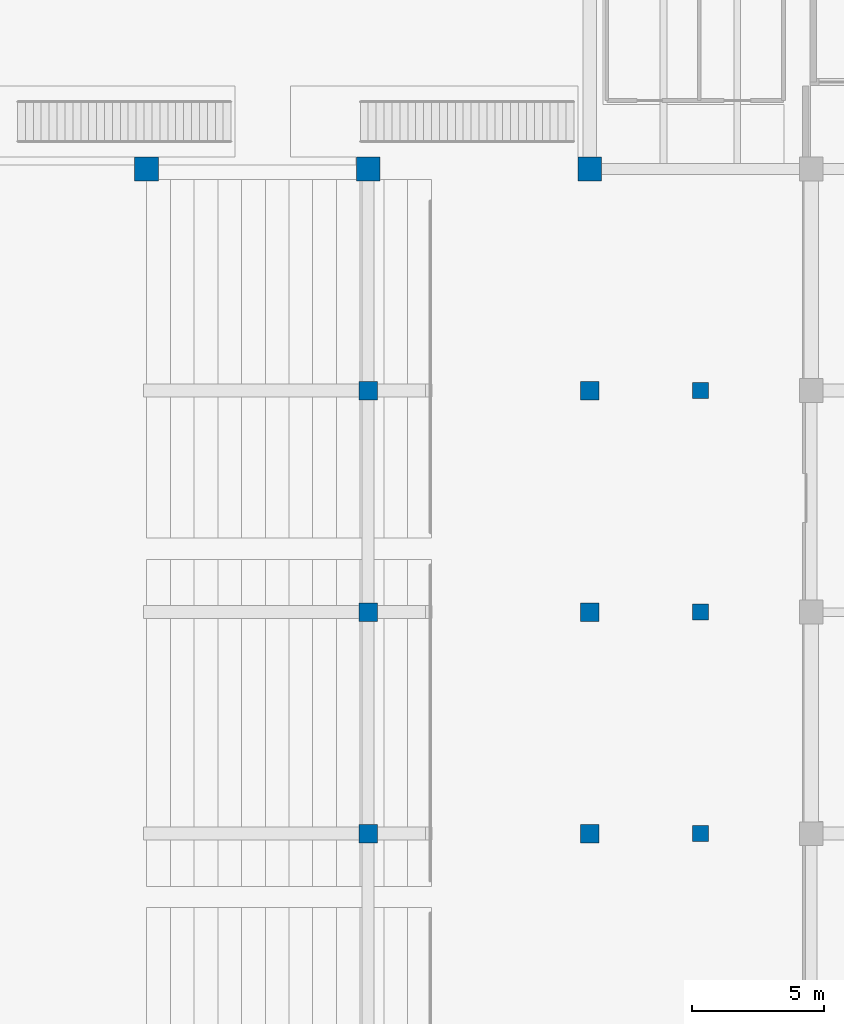
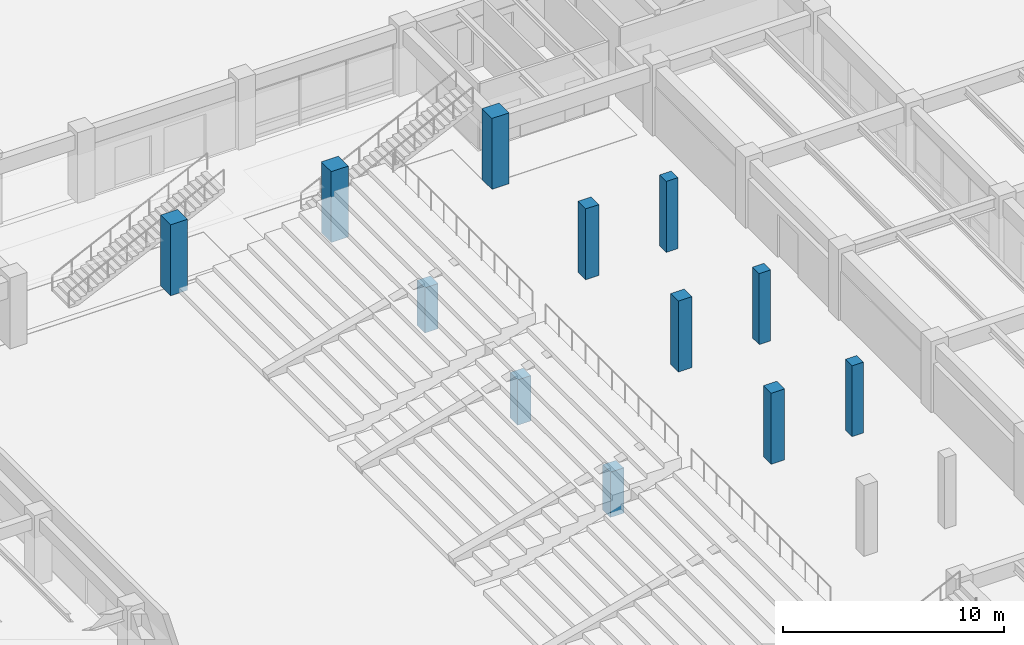
# One storey, part 4 of 135: 12 columns.
"""IFC4 building model written with IfcOpenShell, lengths in metres."""

from ifc_helpers import new_model, si_unit, direction, frame, origin, origin_2d, place, context, subcontext, project, spatial, rectangle, extrude, material, material_profile, profile_set, type_object, element, save


model = new_model("IFC4")

# Units and contexts
model_context = context("Model", 3, precision=1e-05, world=origin(), true_north=direction((0.0, 1.0)))
body_context = subcontext(model_context, "Body", "Model", "MODEL_VIEW")
ifc_project = project(units=[si_unit("LENGTHUNIT", "METRE"), si_unit("AREAUNIT", "SQUARE_METRE"), si_unit("VOLUMEUNIT", "CUBIC_METRE"), si_unit("PLANEANGLEUNIT", "RADIAN"), si_unit("MASSUNIT", "GRAM", prefix="KILO")], contexts=[model_context])

# Site, building, storey
site_placement = place(None, origin())
site = spatial("IfcSite", under=ifc_project, at=site_placement, CompositionType="ELEMENT")
building_placement = place(site_placement, origin())
building = spatial("IfcBuilding", under=site, at=building_placement, Name="Cumbredor Promenade Congress Hotel", CompositionType="ELEMENT")
storey_placement = place(building_placement, origin())
storey = spatial("IfcBuildingStorey", under=building, at=storey_placement, Name="L00", CompositionType="ELEMENT", Elevation=0.0)

# Columns
ifc_material_1 = material(Name="Concrete C40/50", Category="concrete")
ifc_material_profile_1 = material_profile(ifc_material_1, rectangle(XDim=0.60009765625, YDim=0.60009765625, at=origin_2d()), Name="RC 600x600")
ifc_profile_set_1 = profile_set([ifc_material_profile_1], Name="Concrete C40/50")
column_type_1 = type_object("IfcColumnType", Name="COL-RC-600", PredefinedType="COLUMN", material=ifc_profile_set_1)
for number, where, z_axis, x_axis, name in (
    (1, (54.60009765625, 33.60009765625, 0.0), (0.0, 0.0, 1.0), (1.0, 0.0, 0.0), "L00 Balcony Tier Mid-Raker Column Y33"),
    (2, (54.60009765625, 42.0, 0.0), (0.0, 0.0, 1.0), (1.0, 0.0, 0.0), "L00 Balcony Tier Mid-Raker Column Y42"),
    (3, (54.60009765625, 50.39990234375, 0.0), (0.0, 0.0, 1.0), (1.0, 0.0, 0.0), "L00 Balcony Tier Mid-Raker Column Y50"),
):
    element("IfcColumn", number, at=place(storey_placement, frame(where, z_axis=z_axis, x_axis=x_axis)), inside=storey, type_object=column_type_1, Name=name, PredefinedType="COLUMN", context=body_context, shape_type="SweptSolid", body=[
        extrude(rectangle(XDim=0.60009765625, YDim=0.60009765625, at=origin_2d()), origin(), (0.0, 0.0, 1.0), 3.919921875),
    ])
ifc_material_profile_2 = material_profile(ifc_material_1, rectangle(XDim=0.699951171875, YDim=0.699951171875, at=origin_2d()), Name="RC 700x700")
ifc_profile_set_2 = profile_set([ifc_material_profile_2], Name="Concrete C40/50")
column_type_2 = type_object("IfcColumnType", Name="COL-RC-700", PredefinedType="COLUMN", material=ifc_profile_set_2)
for number, where, z_axis, x_axis, name in (
    (4, (42.0, 33.60009765625, 0.0), (0.0, 0.0, 1.0), (1.0, 0.0, 0.0), "L00 Orchestra Raker Grid Column Y33"),
    (5, (42.0, 42.0, 0.0), (0.0, 0.0, 1.0), (1.0, 0.0, 0.0), "L00 Orchestra Raker Grid Column Y42"),
    (6, (42.0, 50.39990234375, 0.0), (0.0, 0.0, 1.0), (1.0, 0.0, 0.0), "L00 Orchestra Raker Grid Column Y50"),
):
    element("IfcColumn", number, at=place(storey_placement, frame(where, z_axis=z_axis, x_axis=x_axis)), inside=storey, type_object=column_type_2, Name=name, PredefinedType="COLUMN", context=body_context, shape_type="SweptSolid", body=[
        extrude(rectangle(XDim=0.699951171875, YDim=0.699951171875, at=origin_2d()), origin(), (0.0, 0.0, 1.0), 2.5),
    ])
for number, where, z_axis, x_axis, name in (
    (7, (50.39990234375, 33.60009765625, 0.0), (0.0, 0.0, 1.0), (1.0, 0.0, 0.0), "L00 Balcony Bowl Perimeter Column Y33"),
    (8, (50.39990234375, 42.0, 0.0), (0.0, 0.0, 1.0), (1.0, 0.0, 0.0), "L00 Balcony Bowl Perimeter Column Y42"),
    (9, (50.39990234375, 50.39990234375, 0.0), (0.0, 0.0, 1.0), (1.0, 0.0, 0.0), "L00 Balcony Bowl Perimeter Column Y50"),
):
    element("IfcColumn", number, at=place(storey_placement, frame(where, z_axis=z_axis, x_axis=x_axis)), inside=storey, type_object=column_type_2, Name=name, PredefinedType="COLUMN", context=body_context, shape_type="SweptSolid", body=[
        extrude(rectangle(XDim=0.699951171875, YDim=0.699951171875, at=origin_2d()), origin(), (0.0, 0.0, 1.0), 3.919921875),
    ])
ifc_material_2 = material(Name="Concrete C50/60", Category="concrete")
ifc_material_profile_3 = material_profile(ifc_material_2, rectangle(XDim=0.89990234375, YDim=0.89990234375, at=origin_2d()), Name="RC 900x900")
ifc_profile_set_3 = profile_set([ifc_material_profile_3], Name="Concrete C50/60")
column_type_3 = type_object("IfcColumnType", Name="COL-RC-900", PredefinedType="COLUMN", material=ifc_profile_set_3)
for number, where, z_axis, x_axis, name in (
    (10, (33.60009765625, 58.800048828125, 0.0), (0.0, 0.0, 1.0), (1.0, 0.0, 0.0), "L00 Structural Column 042"),
    (11, (42.0, 58.800048828125, 0.0), (0.0, 0.0, 1.0), (1.0, 0.0, 0.0), "L00 Structural Column 050"),
    (12, (50.39990234375, 58.800048828125, 0.0), (0.0, 0.0, 1.0), (1.0, 0.0, 0.0), "L00 Structural Column 058"),
):
    element("IfcColumn", number, at=place(storey_placement, frame(where, z_axis=z_axis, x_axis=x_axis)), inside=storey, type_object=column_type_3, Name=name, PredefinedType="COLUMN", context=body_context, shape_type="SweptSolid", body=[
        extrude(rectangle(XDim=0.89990234375, YDim=0.89990234375, at=origin_2d()), origin(), (0.0, 0.0, 1.0), 3.919921875),
    ])

save(model, "model.ifc")
